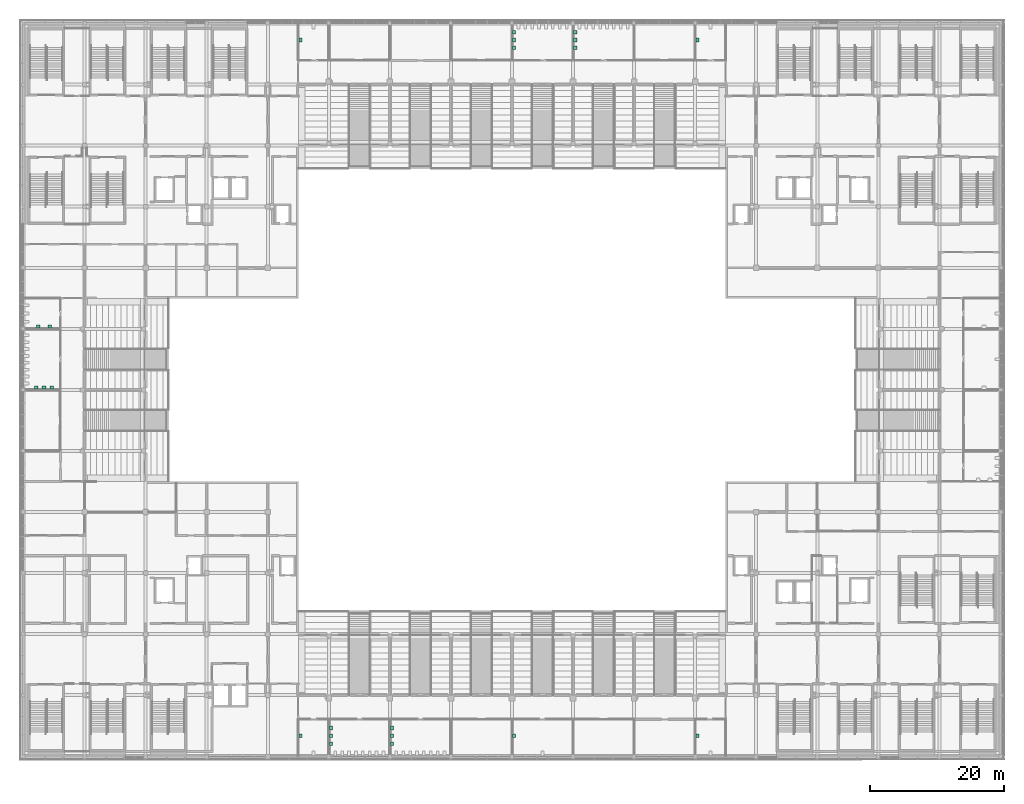
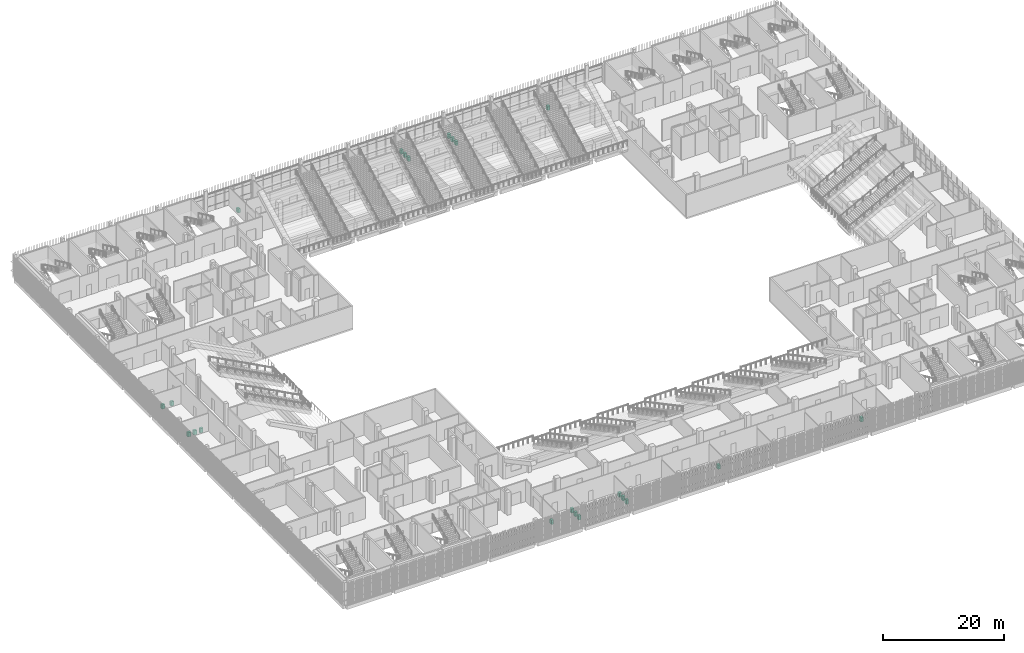
# One storey, part 137 of 139: 22 sanitary terminals.
"""IFC4 building model written with IfcOpenShell, lengths in metres."""

from ifc_helpers import new_model, si_unit, direction, frame, origin, origin_2d, place, context, subcontext, project, spatial, rectangle, extrude, element, save


model = new_model("IFC4")

# Units and contexts
model_context = context("Model", 3, precision=1e-05, world=origin(), true_north=direction((0.0, 1.0)))
body_context = subcontext(model_context, "Body", "Model", "MODEL_VIEW")
ifc_project = project(units=[si_unit("LENGTHUNIT", "METRE"), si_unit("AREAUNIT", "SQUARE_METRE"), si_unit("VOLUMEUNIT", "CUBIC_METRE"), si_unit("PLANEANGLEUNIT", "RADIAN"), si_unit("MASSUNIT", "GRAM", prefix="KILO")], contexts=[model_context])

# Site, building, storey
site_placement = place(None, origin())
site = spatial("IfcSite", under=ifc_project, at=site_placement, CompositionType="ELEMENT")
building_placement = place(site_placement, origin())
building = spatial("IfcBuilding", under=site, at=building_placement, Name="Shirokan Park Arena", CompositionType="ELEMENT")
storey_placement = place(building_placement, frame((0.0, 0.0, 15.469970703125)))
storey = spatial("IfcBuildingStorey", under=building, at=storey_placement, Name="L03", CompositionType="ELEMENT", Elevation=15.469970703125)

# Sanitary terminals
for number, where, z_axis, x_axis, name in (
    (1, (41.27490234375, 106.75, 0.0), (0.0, 0.0, 1.0), (1.0, 0.0, 0.0), "Washbasin Accessible WC 3.31"),
    (2, (73.125, 105.583251953125, 0.0), (0.0, 0.0, 1.0), (1.0, 0.0, 0.0), "Washbasin Men's WC 3.35"),
    (3, (73.125, 106.75, 0.0), (0.0, 0.0, 1.0), (1.0, 0.0, 0.0), "Washbasin Men's WC 3.35"),
    (4, (73.125, 107.916748046875, 0.0), (0.0, 0.0, 1.0), (1.0, 0.0, 0.0), "Washbasin Men's WC 3.35"),
    (5, (82.22509765625, 105.583251953125, 0.0), (0.0, 0.0, 1.0), (1.0, 0.0, 0.0), "Washbasin Women's WC 3.36"),
    (6, (82.22509765625, 106.75, 0.0), (0.0, 0.0, 1.0), (1.0, 0.0, 0.0), "Washbasin Women's WC 3.36"),
    (7, (82.22509765625, 107.916748046875, 0.0), (0.0, 0.0, 1.0), (1.0, 0.0, 0.0), "Washbasin Women's WC 3.36"),
    (8, (100.425048828125, 106.75, 0.0), (0.0, 0.0, 1.0), (1.0, 0.0, 0.0), "Washbasin Accessible WC 3.38"),
    (9, (41.27490234375, 3.050048828125, 0.0), (0.0, 0.0, 1.0), (1.0, 0.0, 0.0), "Washbasin Accessible WC 3.11"),
    (10, (45.824951171875, 1.88330078125, 0.0), (0.0, 0.0, 1.0), (1.0, 0.0, 0.0), "Washbasin Men's WC 3.12"),
    (11, (45.824951171875, 3.050048828125, 0.0), (0.0, 0.0, 1.0), (1.0, 0.0, 0.0), "Washbasin Men's WC 3.12"),
    (12, (45.824951171875, 4.216796875, 0.0), (0.0, 0.0, 1.0), (1.0, 0.0, 0.0), "Washbasin Men's WC 3.12"),
    (13, (54.925048828125, 1.88330078125, 0.0), (0.0, 0.0, 1.0), (1.0, 0.0, 0.0), "Washbasin Women's WC 3.13"),
    (14, (54.925048828125, 3.050048828125, 0.0), (0.0, 0.0, 1.0), (1.0, 0.0, 0.0), "Washbasin Women's WC 3.13"),
    (15, (54.925048828125, 4.216796875, 0.0), (0.0, 0.0, 1.0), (1.0, 0.0, 0.0), "Washbasin Women's WC 3.13"),
    (16, (73.125, 3.050048828125, 0.0), (0.0, 0.0, 1.0), (1.0, 0.0, 0.0), "Washbasin Accessible WC 3.15"),
    (17, (100.425048828125, 3.050048828125, 0.0), (0.0, 0.0, 1.0), (1.0, 0.0, 0.0), "Washbasin Accessible WC 3.18"),
):
    element("IfcSanitaryTerminal", number, at=place(storey_placement, frame(where, z_axis=z_axis, x_axis=x_axis)), inside=storey, Name=name, PredefinedType="WASHHANDBASIN", context=body_context, shape_type="SweptSolid", body=[
        extrude(rectangle(XDim=0.449951171875, YDim=0.550048828125, at=origin_2d()), origin(), (0.0, 0.0, 1.0), 0.85009765625),
    ])
for number, where, z_axis, x_axis, name in (
    (18, (1.88330078125, 54.925048828125, 0.0), (0.0, 0.0, 1.0), (1.0, 0.0, 0.0), "Washbasin Men's WC 3.43"),
    (19, (3.050048828125, 54.925048828125, 0.0), (0.0, 0.0, 1.0), (1.0, 0.0, 0.0), "Washbasin Men's WC 3.43"),
    (20, (4.216796875, 54.925048828125, 0.0), (0.0, 0.0, 1.0), (1.0, 0.0, 0.0), "Washbasin Men's WC 3.43"),
    (21, (2.175048828125, 64.02490234375, 0.0), (0.0, 0.0, 1.0), (1.0, 0.0, 0.0), "Washbasin Women's WC 3.44"),
    (22, (3.925048828125, 64.02490234375, 0.0), (0.0, 0.0, 1.0), (1.0, 0.0, 0.0), "Washbasin Women's WC 3.44"),
):
    element("IfcSanitaryTerminal", number, at=place(storey_placement, frame(where, z_axis=z_axis, x_axis=x_axis)), inside=storey, Name=name, PredefinedType="WASHHANDBASIN", context=body_context, shape_type="SweptSolid", body=[
        extrude(rectangle(XDim=0.550048828125, YDim=0.449951171875, at=origin_2d()), origin(), (0.0, 0.0, 1.0), 0.85009765625),
    ])

save(model, "model.ifc")
